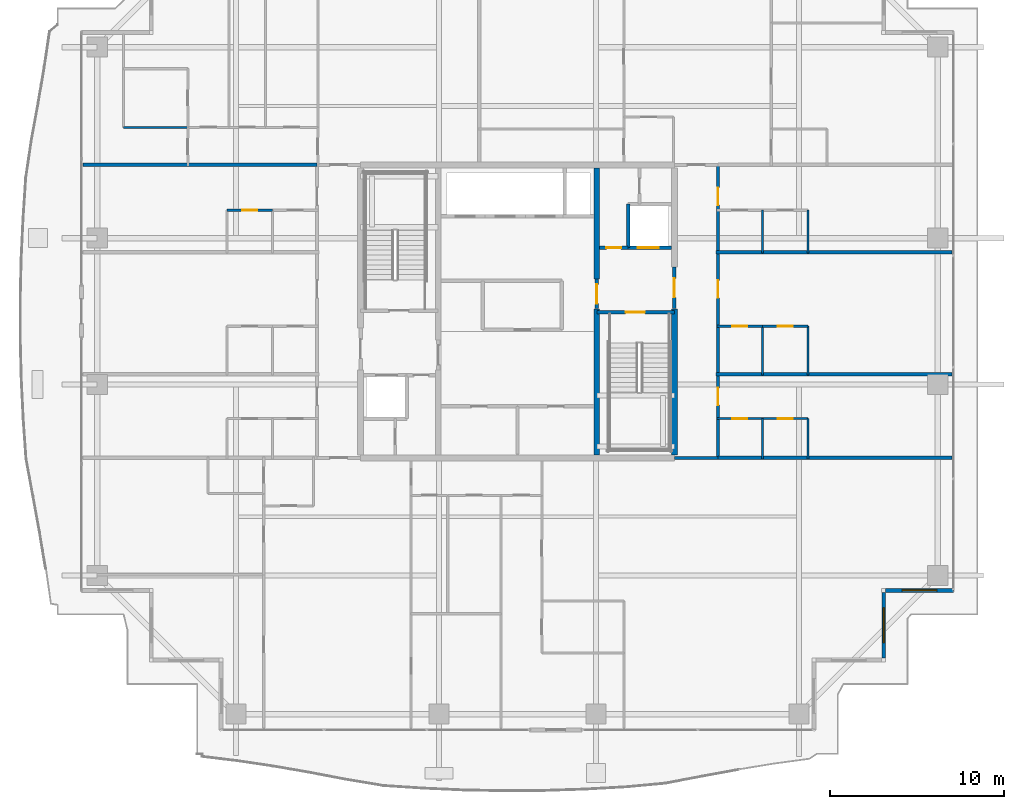
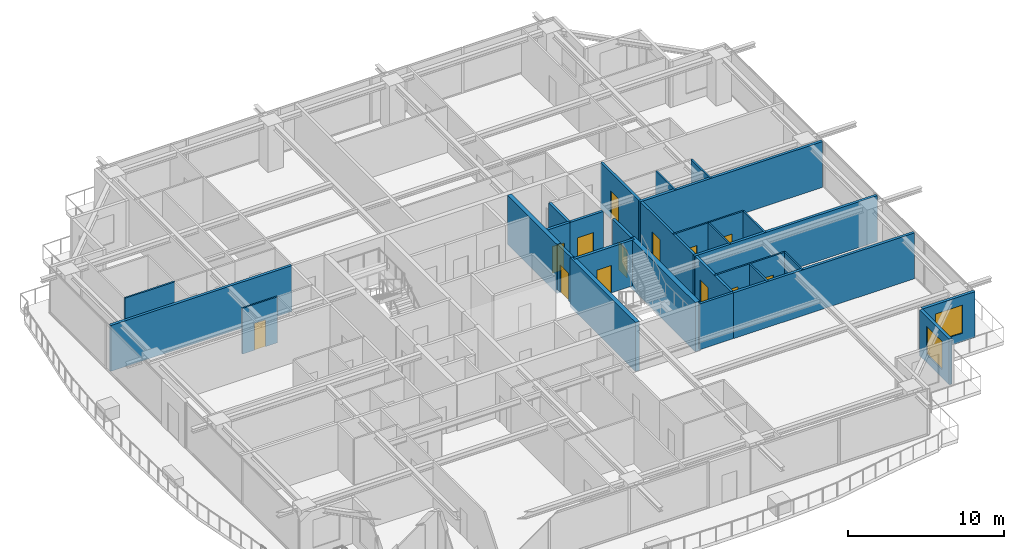
# One storey, part 27 of 36: 29 walls, 13 doors, 2 windows, 15 openings.
"""IFC4 building model written with IfcOpenShell, lengths in metres."""

from ifc_helpers import new_model, si_unit, direction, frame, frame_2d, origin, place, context, subcontext, project, spatial, rectangle, extrude, source, transform, mapped, material, layer, layer_set, type_object, element, fill, save


model = new_model("IFC4")

# Units and contexts
model_context = context("Model", 3, precision=1e-05, world=origin(), true_north=direction((0.0, 1.0)))
body_context = subcontext(model_context, "Body", "Model", "MODEL_VIEW")
ifc_project = project(units=[si_unit("LENGTHUNIT", "METRE"), si_unit("AREAUNIT", "SQUARE_METRE"), si_unit("VOLUMEUNIT", "CUBIC_METRE"), si_unit("PLANEANGLEUNIT", "RADIAN"), si_unit("MASSUNIT", "GRAM", prefix="KILO")], contexts=[model_context])

# Site, building, storey
site_placement = place(None, origin())
site = spatial("IfcSite", under=ifc_project, at=site_placement, CompositionType="ELEMENT")
building_placement = place(site_placement, origin())
building = spatial("IfcBuilding", under=site, at=building_placement, Name="Serunith Strait Residences", CompositionType="ELEMENT")
storey_placement = place(building_placement, frame((0.0, 0.0, 256.64990234375)))
storey = spatial("IfcBuildingStorey", under=building, at=storey_placement, Name="L64", CompositionType="ELEMENT", Elevation=256.64990234375)

# Wall, opening, window
ifc_material_1 = material(Name="Pale-Champagne Aluminium Insulated Panel", Category="aluminium")
ifc_layer_1 = layer(ifc_material_1, 0.219970703125, Name="Pale-Champagne Aluminium Insulated Panel")
ifc_layer_set_1 = layer_set([ifc_layer_1], Name="Pale-Champagne Aluminium Insulated Panel")
wall_type_1 = type_object("IfcWallType", Name="EW-ALUM-220", PredefinedType="ELEMENTEDWALL", material=ifc_layer_set_1)
wall_1_placement = place(storey_placement, frame((53.39990234375, 5.31005859375, 0.0), z_axis=(0.0, 0.0, 1.0), x_axis=(0.0, 1.0, 0.0)))
wall_1 = element("IfcWall", 1, at=wall_1_placement, inside=storey, type_object=wall_type_1, Name="L64 Girih Serrated Corner Wall 04", PredefinedType="ELEMENTEDWALL", context=body_context, shape_type="SweptSolid", body=[
    extrude(rectangle(XDim=3.780029296875, YDim=0.219970703125, at=frame_2d((1.89013671875, 0.0))), origin(), (0.0, 0.0, 1.0), 3.5751953125),
])
opening_1_placement = place(wall_1_placement, frame((0.889892578125, 0.0, 0.64990234375)))
opening_1 = element("IfcOpeningElement", 2, at=opening_1_placement, cuts=wall_1, Name="Opening W-04", PredefinedType="OPENING", context=body_context, shape_type="SweptSolid", body=[
    extrude(rectangle(XDim=2.0, YDim=2.199951171875, at=frame_2d((1.0, 1.10009765625))), frame((0.0, 0.1201171875, 0.0), z_axis=(0.0, -1.0, 0.0), x_axis=(1.0, 0.0, 0.0)), (0.0, 0.0, 1.0), 0.239990234375),
])
ifc_material_2 = material(Name="Ceramic-Fritted Operable Aluminium Window Glass", Category="aluminium")
window_type = type_object("IfcWindowType", Name="WIN-C4", PartitioningType="TRIPLE_PANEL_VERTICAL", PredefinedType="WINDOW", material=ifc_material_2)
shared_shape_1 = source(origin(), body_context, "Body", "SweptSolid", [
    extrude(rectangle(XDim=2.0, YDim=2.199951171875, at=frame_2d((1.0, 1.10009765625))), frame((0.0, 0.030029296875, 0.0), z_axis=(0.0, -1.0, 0.0), x_axis=(1.0, 0.0, 0.0)), (0.0, 0.0, 1.0), 0.06005859375),
])
window_1_placement = place(opening_1_placement, origin())
window_1 = element("IfcWindow", 3, at=window_1_placement, inside=storey, type_object=window_type, Name="L64 Corner Operable Fritted Window 04", OverallHeight=2.199951171875, OverallWidth=2.0, PartitioningType="SINGLE_PANEL", PredefinedType="WINDOW", context=body_context, shape_type="MappedRepresentation", body=[
    mapped(shared_shape_1, transform((0.0, 0.0, 0.0), scale=1.0)),
])
fill(opening_1, window_1)

wall_2_placement = place(storey_placement, frame((53.510009765625, 9.199951171875, 0.0), z_axis=(0.0, 0.0, 1.0), x_axis=(1.0, 0.0, 0.0)))
wall_2 = element("IfcWall", 4, at=wall_2_placement, inside=storey, type_object=wall_type_1, Name="L64 Girih Serrated Corner Wall 05", PredefinedType="ELEMENTEDWALL", context=body_context, shape_type="SweptSolid", body=[
    extrude(rectangle(XDim=3.889892578125, YDim=0.219970703125, at=frame_2d((1.94482421875, 0.0))), origin(), (0.0, 0.0, 1.0), 3.5751953125),
])
opening_2_placement = place(wall_2_placement, frame((0.945068359375, 0.0, 0.64990234375)))
opening_2 = element("IfcOpeningElement", 5, at=opening_2_placement, cuts=wall_2, Name="Opening W-04", PredefinedType="OPENING", context=body_context, shape_type="SweptSolid", body=[
    extrude(rectangle(XDim=2.0, YDim=2.199951171875, at=frame_2d((1.0, 1.10009765625))), frame((0.0, 0.1201171875, 0.0), z_axis=(0.0, -1.0, 0.0), x_axis=(1.0, 0.0, 0.0)), (0.0, 0.0, 1.0), 0.239990234375),
])
window_2_placement = place(opening_2_placement, origin())
window_2 = element("IfcWindow", 6, at=window_2_placement, inside=storey, type_object=window_type, Name="L64 Corner Operable Fritted Window 05", OverallHeight=2.199951171875, OverallWidth=2.0, PartitioningType="SINGLE_PANEL", PredefinedType="WINDOW", context=body_context, shape_type="MappedRepresentation", body=[
    mapped(shared_shape_1, transform((0.0, 0.0, 0.0), scale=1.0)),
])
fill(opening_2, window_2)

# Wall
ifc_material_3 = material(Name="Fire-rated acoustic gypsum partition")
ifc_layer_2 = layer(ifc_material_3, 0.179931640625, Name="Fire-rated acoustic gypsum partition")
ifc_layer_set_2 = layer_set([ifc_layer_2], Name="Fire-rated acoustic gypsum partition")
wall_type_2 = type_object("IfcWallType", Name="IW-CORR-180", PredefinedType="PARTITIONING", material=ifc_layer_set_2)
wall_3_placement = place(storey_placement, frame((41.402099609375, 16.800048828125, 0.0), z_axis=(0.0, 0.0, 1.0), x_axis=(1.0, 0.0, 0.0)))
element("IfcWall", 7, at=wall_3_placement, inside=storey, type_object=wall_type_2, Name="L64 Partition Wall 032", PredefinedType="PARTITIONING", context=body_context, shape_type="SweptSolid", body=[
    extrude(rectangle(XDim=2.495849609375, YDim=0.179931640625, at=frame_2d((1.248046875, 0.0))), origin(), (0.0, 0.0, 1.0), 3.590087890625),
])

# Wall, openings, doors
wall_4_placement = place(storey_placement, frame((43.89990234375, 16.800048828125, 0.0), z_axis=(0.0, 0.0, 1.0), x_axis=(0.0, 1.0, 0.0)))
wall_4 = element("IfcWall", 8, at=wall_4_placement, inside=storey, type_object=wall_type_2, Name="L64 Partition Wall 034", PredefinedType="PARTITIONING", context=body_context, shape_type="SweptSolid", body=[
    extrude(rectangle(XDim=16.800048828125, YDim=0.179931640625, at=frame_2d((8.39990234375, 0.0))), origin(), (0.0, 0.0, 1.0), 3.590087890625),
])
opening_3_placement = place(wall_4_placement, frame((3.01806640625, 0.0, 0.0)))
opening_3 = element("IfcOpeningElement", 9, at=opening_3_placement, cuts=wall_4, Name="Opening D-APT1000", PredefinedType="OPENING", context=body_context, shape_type="SweptSolid", body=[
    extrude(rectangle(XDim=1.0, YDim=2.14990234375, at=frame_2d((0.5, 1.074951171875))), frame((0.0, 0.10009765625, 0.0), z_axis=(0.0, -1.0, 0.0), x_axis=(1.0, 0.0, 0.0)), (0.0, 0.0, 1.0), 0.199951171875),
])
opening_4_placement = place(wall_4_placement, frame((9.179931640625, 0.0, 0.0)))
opening_4 = element("IfcOpeningElement", 10, at=opening_4_placement, cuts=wall_4, Name="Opening D-APT1000", PredefinedType="OPENING", context=body_context, shape_type="SweptSolid", body=[
    extrude(rectangle(XDim=1.0, YDim=2.14990234375, at=frame_2d((0.5, 1.074951171875))), frame((0.0, 0.10009765625, 0.0), z_axis=(0.0, -1.0, 0.0), x_axis=(1.0, 0.0, 0.0)), (0.0, 0.0, 1.0), 0.199951171875),
])
opening_5_placement = place(wall_4_placement, frame((14.5, 0.0, 0.0)))
opening_5 = element("IfcOpeningElement", 11, at=opening_5_placement, cuts=wall_4, Name="Opening D-APT1000", PredefinedType="OPENING", context=body_context, shape_type="SweptSolid", body=[
    extrude(rectangle(XDim=1.0, YDim=2.14990234375, at=frame_2d((0.5, 1.074951171875))), frame((0.0, 0.10009765625, 0.0), z_axis=(0.0, -1.0, 0.0), x_axis=(1.0, 0.0, 0.0)), (0.0, 0.0, 1.0), 0.199951171875),
])
ifc_material_4 = material(Name="Solid timber engineered fire door", Category="wood")
door_type_1 = type_object("IfcDoorType", Name="ID-APT-1000", OperationType="NOTDEFINED", PredefinedType="DOOR", material=ifc_material_4)
shared_shape_2 = source(origin(), body_context, "Body", "SweptSolid", [
    extrude(rectangle(XDim=1.0, YDim=2.14990234375, at=frame_2d((0.5, 1.074951171875))), frame((0.0, 0.02490234375, 0.0), z_axis=(0.0, -1.0, 0.0), x_axis=(1.0, 0.0, 0.0)), (0.0, 0.0, 1.0), 0.050048828125),
])
door_1_placement = place(opening_3_placement, origin())
door_1 = element("IfcDoor", 12, at=door_1_placement, inside=storey, type_object=door_type_1, Name="L64 Unit 07 Entrance Door", OperationType="SINGLE_SWING_RIGHT", OverallHeight=2.14990234375, OverallWidth=1.0, PredefinedType="DOOR", context=body_context, shape_type="MappedRepresentation", body=[
    mapped(shared_shape_2, transform((0.0, 0.0, 0.0), scale=1.0)),
])
fill(opening_3, door_1)
door_2_placement = place(opening_4_placement, origin())
door_2 = element("IfcDoor", 13, at=door_2_placement, inside=storey, type_object=door_type_1, Name="L64 Unit 08 Entrance Door", OperationType="SINGLE_SWING_LEFT", OverallHeight=2.14990234375, OverallWidth=1.0, PredefinedType="DOOR", context=body_context, shape_type="MappedRepresentation", body=[
    mapped(shared_shape_2, transform((0.0, 0.0, 0.0), scale=1.0)),
])
fill(opening_4, door_2)
door_3_placement = place(opening_5_placement, origin())
door_3 = element("IfcDoor", 14, at=door_3_placement, inside=storey, type_object=door_type_1, Name="L64 Unit 09 Entrance Door", OperationType="SINGLE_SWING_RIGHT", OverallHeight=2.14990234375, OverallWidth=1.0, PredefinedType="DOOR", context=body_context, shape_type="MappedRepresentation", body=[
    mapped(shared_shape_2, transform((0.0, 0.0, 0.0), scale=1.0)),
])
fill(opening_5, door_3)

# Wall
ifc_material_5 = material(Name="Lightweight steel-stud gypsum partition", Category="steel")
ifc_layer_3 = layer(ifc_material_5, 0.1201171875, Name="Lightweight steel-stud gypsum partition")
ifc_layer_set_3 = layer_set([ifc_layer_3], Name="Lightweight steel-stud gypsum partition")
wall_type_3 = type_object("IfcWallType", Name="IW-PART-120", PredefinedType="PARTITIONING", material=ifc_layer_set_3)
wall_5_placement = place(storey_placement, frame((9.800048828125, 35.75, 0.0), z_axis=(0.0, 0.0, 1.0), x_axis=(1.0, 0.0, 0.0)))
element("IfcWall", 15, at=wall_5_placement, inside=storey, type_object=wall_type_3, Name="L64 Partition Wall 069", PredefinedType="PARTITIONING", context=body_context, shape_type="SweptSolid", body=[
    extrude(rectangle(XDim=3.697998046875, YDim=0.1201171875, at=frame_2d((1.84912109375, 0.0))), origin(), (0.0, 0.0, 1.0), 3.590087890625),
])

# Wall, opening, door
wall_6_placement = place(storey_placement, frame((15.75, 31.0, 0.0), z_axis=(0.0, 0.0, 1.0), x_axis=(1.0, 0.0, 0.0)))
wall_6 = element("IfcWall", 16, at=wall_6_placement, inside=storey, type_object=wall_type_3, Name="L64 Partition Wall 093", PredefinedType="PARTITIONING", context=body_context, shape_type="SweptSolid", body=[
    extrude(rectangle(XDim=2.60009765625, YDim=0.1201171875, at=frame_2d((1.300048828125, 0.0))), origin(), (0.0, 0.0, 1.0), 3.590087890625),
])
opening_6_placement = place(wall_6_placement, frame((0.875, 0.0, 0.0)))
opening_6 = element("IfcOpeningElement", 17, at=opening_6_placement, cuts=wall_6, Name="Opening D-RM850", PredefinedType="OPENING", context=body_context, shape_type="SweptSolid", body=[
    extrude(rectangle(XDim=0.85009765625, YDim=2.10009765625, at=frame_2d((0.425048828125, 1.050048828125))), frame((0.0, 0.070068359375, 0.0), z_axis=(0.0, -1.0, 0.0), x_axis=(1.0, 0.0, 0.0)), (0.0, 0.0, 1.0), 0.14013671875),
])
ifc_material_6 = material(Name="Engineered timber flush study and kitchen door", Category="wood")
door_type_2 = type_object("IfcDoorType", Name="ID-ROOM-850", OperationType="NOTDEFINED", PredefinedType="DOOR", material=ifc_material_6)
shared_shape_3 = source(origin(), body_context, "Body", "SweptSolid", [
    extrude(rectangle(XDim=0.85009765625, YDim=2.10009765625, at=frame_2d((0.425048828125, 1.050048828125))), frame((0.0, 0.02490234375, 0.0), z_axis=(0.0, -1.0, 0.0), x_axis=(1.0, 0.0, 0.0)), (0.0, 0.0, 1.0), 0.050048828125),
])
door_4_placement = place(opening_6_placement, origin())
door_4 = element("IfcDoor", 18, at=door_4_placement, inside=storey, type_object=door_type_2, Name="L64 Kitchen 6406 Door", OperationType="SINGLE_SWING_RIGHT", OverallHeight=2.10009765625, OverallWidth=0.85009765625, PredefinedType="DOOR", context=body_context, shape_type="MappedRepresentation", body=[
    mapped(shared_shape_3, transform((0.0, 0.0, 0.0), scale=1.0)),
])
fill(opening_6, door_4)

wall_7_placement = place(storey_placement, frame((49.050048828125, 19.050048828125, 0.0), z_axis=(0.0, 0.0, 1.0), x_axis=(-1.0, 0.0, 0.0)))
wall_7 = element("IfcWall", 19, at=wall_7_placement, inside=storey, type_object=wall_type_3, Name="L64 Partition Wall 097", PredefinedType="PARTITIONING", context=body_context, shape_type="SweptSolid", body=[
    extrude(rectangle(XDim=2.60009765625, YDim=0.1201171875, at=frame_2d((1.300048828125, 0.0))), origin(), (0.0, 0.0, 1.0), 3.590087890625),
])
opening_7_placement = place(wall_7_placement, frame((0.875, 0.0, 0.0)))
opening_7 = element("IfcOpeningElement", 20, at=opening_7_placement, cuts=wall_7, Name="Opening D-RM850", PredefinedType="OPENING", context=body_context, shape_type="SweptSolid", body=[
    extrude(rectangle(XDim=0.85009765625, YDim=2.10009765625, at=frame_2d((0.425048828125, 1.050048828125))), frame((0.0, 0.070068359375, 0.0), z_axis=(0.0, -1.0, 0.0), x_axis=(1.0, 0.0, 0.0)), (0.0, 0.0, 1.0), 0.14013671875),
])
door_5_placement = place(opening_7_placement, origin())
door_5 = element("IfcDoor", 21, at=door_5_placement, inside=storey, type_object=door_type_2, Name="L64 Kitchen 6407 Door", OperationType="SINGLE_SWING_RIGHT", OverallHeight=2.10009765625, OverallWidth=0.85009765625, PredefinedType="DOOR", context=body_context, shape_type="MappedRepresentation", body=[
    mapped(shared_shape_3, transform((0.0, 0.0, 0.0), scale=1.0)),
])
fill(opening_7, door_5)

wall_8_placement = place(storey_placement, frame((46.447998046875, 19.050048828125, 0.0), z_axis=(0.0, 0.0, 1.0), x_axis=(-1.0, 0.0, 0.0)))
wall_8 = element("IfcWall", 22, at=wall_8_placement, inside=storey, type_object=wall_type_3, Name="L64 Partition Wall 098", PredefinedType="PARTITIONING", context=body_context, shape_type="SweptSolid", body=[
    extrude(rectangle(XDim=2.60791015625, YDim=0.1201171875, at=frame_2d((1.303955078125, 0.0))), origin(), (0.0, 0.0, 1.0), 3.590087890625),
])
opening_8_placement = place(wall_8_placement, frame((0.87890625, 0.0, 0.0)))
opening_8 = element("IfcOpeningElement", 23, at=opening_8_placement, cuts=wall_8, Name="Opening D-BTH850", PredefinedType="OPENING", context=body_context, shape_type="SweptSolid", body=[
    extrude(rectangle(XDim=0.85009765625, YDim=2.10009765625, at=frame_2d((0.425048828125, 1.050048828125))), frame((0.0, 0.070068359375, 0.0), z_axis=(0.0, -1.0, 0.0), x_axis=(1.0, 0.0, 0.0)), (0.0, 0.0, 1.0), 0.14013671875),
])
ifc_material_7 = material(Name="Moisture-resistant timber bathroom door", Category="wood")
door_type_3 = type_object("IfcDoorType", Name="ID-BATH-850", OperationType="NOTDEFINED", PredefinedType="DOOR", material=ifc_material_7)
door_6_placement = place(opening_8_placement, origin())
door_6 = element("IfcDoor", 24, at=door_6_placement, inside=storey, type_object=door_type_3, Name="L64 Bathroom 6407 Door", OperationType="SINGLE_SWING_LEFT", OverallHeight=2.10009765625, OverallWidth=0.85009765625, PredefinedType="DOOR", context=body_context, shape_type="MappedRepresentation", body=[
    mapped(shared_shape_3, transform((0.0, 0.0, 0.0), scale=1.0)),
])
fill(opening_8, door_6)

# Walls
for number, where, z_axis, x_axis, name in (
    (25, (46.449951171875, 16.739990234375, 0.0), (0.0, 0.0, 1.0), (0.0, 1.0, 0.0), "L64 Partition Wall 099"),
    (26, (49.050048828125, 16.739990234375, 0.0), (0.0, 0.0, 1.0), (0.0, 1.0, 0.0), "L64 Partition Wall 100"),
):
    element("IfcWall", number, at=place(storey_placement, frame(where, z_axis=z_axis, x_axis=x_axis)), inside=storey, type_object=wall_type_3, Name=name, PredefinedType="PARTITIONING", context=body_context, shape_type="SweptSolid", body=[
        extrude(rectangle(XDim=2.31005859375, YDim=0.1201171875, at=frame_2d((1.155029296875, 0.0))), origin(), (0.0, 0.0, 1.0), 3.590087890625),
    ])

# Wall, opening, door
wall_9_placement = place(storey_placement, frame((49.050048828125, 24.35009765625, 0.0), z_axis=(0.0, 0.0, 1.0), x_axis=(-1.0, 0.0, 0.0)))
wall_9 = element("IfcWall", 27, at=wall_9_placement, inside=storey, type_object=wall_type_3, Name="L64 Partition Wall 101", PredefinedType="PARTITIONING", context=body_context, shape_type="SweptSolid", body=[
    extrude(rectangle(XDim=2.60009765625, YDim=0.1201171875, at=frame_2d((1.300048828125, 0.0))), origin(), (0.0, 0.0, 1.0), 3.590087890625),
])
opening_9_placement = place(wall_9_placement, frame((0.875, 0.0, 0.0)))
opening_9 = element("IfcOpeningElement", 28, at=opening_9_placement, cuts=wall_9, Name="Opening D-RM850", PredefinedType="OPENING", context=body_context, shape_type="SweptSolid", body=[
    extrude(rectangle(XDim=0.85009765625, YDim=2.10009765625, at=frame_2d((0.425048828125, 1.050048828125))), frame((0.0, 0.070068359375, 0.0), z_axis=(0.0, -1.0, 0.0), x_axis=(1.0, 0.0, 0.0)), (0.0, 0.0, 1.0), 0.14013671875),
])
door_7_placement = place(opening_9_placement, origin())
door_7 = element("IfcDoor", 29, at=door_7_placement, inside=storey, type_object=door_type_2, Name="L64 Kitchen 6408 Door", OperationType="SINGLE_SWING_RIGHT", OverallHeight=2.10009765625, OverallWidth=0.85009765625, PredefinedType="DOOR", context=body_context, shape_type="MappedRepresentation", body=[
    mapped(shared_shape_3, transform((0.0, 0.0, 0.0), scale=1.0)),
])
fill(opening_9, door_7)

wall_10_placement = place(storey_placement, frame((46.447998046875, 24.35009765625, 0.0), z_axis=(0.0, 0.0, 1.0), x_axis=(-1.0, 0.0, 0.0)))
wall_10 = element("IfcWall", 30, at=wall_10_placement, inside=storey, type_object=wall_type_3, Name="L64 Partition Wall 102", PredefinedType="PARTITIONING", context=body_context, shape_type="SweptSolid", body=[
    extrude(rectangle(XDim=2.60791015625, YDim=0.1201171875, at=frame_2d((1.303955078125, 0.0))), origin(), (0.0, 0.0, 1.0), 3.590087890625),
])
opening_10_placement = place(wall_10_placement, frame((0.87890625, 0.0, 0.0)))
opening_10 = element("IfcOpeningElement", 31, at=opening_10_placement, cuts=wall_10, Name="Opening D-BTH850", PredefinedType="OPENING", context=body_context, shape_type="SweptSolid", body=[
    extrude(rectangle(XDim=0.85009765625, YDim=2.10009765625, at=frame_2d((0.425048828125, 1.050048828125))), frame((0.0, 0.070068359375, 0.0), z_axis=(0.0, -1.0, 0.0), x_axis=(1.0, 0.0, 0.0)), (0.0, 0.0, 1.0), 0.14013671875),
])
door_8_placement = place(opening_10_placement, origin())
door_8 = element("IfcDoor", 32, at=door_8_placement, inside=storey, type_object=door_type_3, Name="L64 Bathroom 6408 Door", OperationType="SINGLE_SWING_LEFT", OverallHeight=2.10009765625, OverallWidth=0.85009765625, PredefinedType="DOOR", context=body_context, shape_type="MappedRepresentation", body=[
    mapped(shared_shape_3, transform((0.0, 0.0, 0.0), scale=1.0)),
])
fill(opening_10, door_8)

# Walls
for number, where, z_axis, x_axis, name in (
    (33, (46.449951171875, 21.5400390625, 0.0), (0.0, 0.0, 1.0), (0.0, 1.0, 0.0), "L64 Partition Wall 103"),
    (34, (49.050048828125, 21.5400390625, 0.0), (0.0, 0.0, 1.0), (0.0, 1.0, 0.0), "L64 Partition Wall 104"),
):
    element("IfcWall", number, at=place(storey_placement, frame(where, z_axis=z_axis, x_axis=x_axis)), inside=storey, type_object=wall_type_3, Name=name, PredefinedType="PARTITIONING", context=body_context, shape_type="SweptSolid", body=[
        extrude(rectangle(XDim=2.81005859375, YDim=0.1201171875, at=frame_2d((1.405029296875, 0.0))), origin(), (0.0, 0.0, 1.0), 3.590087890625),
    ])
for number, where, z_axis, x_axis, name in (
    (35, (46.449951171875, 28.5400390625, 0.0), (0.0, 0.0, 1.0), (0.0, 1.0, 0.0), "L64 Partition Wall 107"),
    (36, (49.050048828125, 28.5400390625, 0.0), (0.0, 0.0, 1.0), (0.0, 1.0, 0.0), "L64 Partition Wall 108"),
):
    element("IfcWall", number, at=place(storey_placement, frame(where, z_axis=z_axis, x_axis=x_axis)), inside=storey, type_object=wall_type_3, Name=name, PredefinedType="PARTITIONING", context=body_context, shape_type="SweptSolid", body=[
        extrude(rectangle(XDim=2.4599609375, YDim=0.1201171875, at=frame_2d((1.22998046875, 0.0))), origin(), (0.0, 0.0, 1.0), 3.590087890625),
    ])
ifc_material_8 = material(Name="Twin-stud acoustic gypsum board partition")
ifc_layer_4 = layer(ifc_material_8, 0.199951171875, Name="Twin-stud acoustic gypsum board partition")
ifc_layer_set_4 = layer_set([ifc_layer_4], Name="Twin-stud acoustic gypsum board partition")
wall_type_4 = type_object("IfcWallType", Name="IW-PARTY-200", PredefinedType="PARTITIONING", material=ifc_layer_set_4)
for number, where, z_axis, x_axis, name in (
    (37, (43.780029296875, 21.60009765625, 0.0), (0.0, 0.0, 1.0), (1.0, 0.0, 0.0), "L64 Partition Wall 023"),
    (38, (43.780029296875, 28.60009765625, 0.0), (0.0, 0.0, 1.0), (1.0, 0.0, 0.0), "L64 Partition Wall 024"),
):
    element("IfcWall", number, at=place(storey_placement, frame(where, z_axis=z_axis, x_axis=x_axis)), inside=storey, type_object=wall_type_4, Name=name, PredefinedType="PARTITIONING", context=body_context, shape_type="SweptSolid", body=[
        extrude(rectangle(XDim=13.5380859375, YDim=0.199951171875, at=frame_2d((6.76904296875, 0.0))), origin(), (0.0, 0.0, 1.0), 3.590087890625),
    ])
wall_11_placement = place(storey_placement, frame((43.89990234375, 16.800048828125, 0.0), z_axis=(0.0, 0.0, 1.0), x_axis=(1.0, 0.0, 0.0)))
element("IfcWall", 39, at=wall_11_placement, inside=storey, type_object=wall_type_4, Name="L64 Partition Wall 026", PredefinedType="PARTITIONING", context=body_context, shape_type="SweptSolid", body=[
    extrude(rectangle(XDim=13.418212890625, YDim=0.199951171875, at=frame_2d((6.708984375, 0.0))), origin(), (0.0, 0.0, 1.0), 3.590087890625),
])
wall_12_placement = place(storey_placement, frame((7.48193359375, 33.60009765625, 0.0), z_axis=(0.0, 0.0, 1.0), x_axis=(1.0, 0.0, 0.0)))
element("IfcWall", 40, at=wall_12_placement, inside=storey, type_object=wall_type_4, Name="L64 Partition Wall 027", PredefinedType="PARTITIONING", context=body_context, shape_type="SweptSolid", body=[
    extrude(rectangle(XDim=13.41796875, YDim=0.199951171875, at=frame_2d((6.708984375, 0.0))), origin(), (0.0, 0.0, 1.0), 3.590087890625),
])

# Wall, opening, door
ifc_material_9 = material(Name="Autoclaved aerated concrete blockwork", Category="masonry")
ifc_layer_5 = layer(ifc_material_9, 0.199951171875, Name="Autoclaved aerated concrete blockwork")
ifc_layer_set_5 = layer_set([ifc_layer_5], Name="Autoclaved aerated concrete blockwork")
wall_type_5 = type_object("IfcWallType", Name="IW-SHAFT-200", PredefinedType="STANDARD", material=ifc_layer_set_5)
wall_13_placement = place(storey_placement, frame((36.949951171875, 25.14990234375, 0.0), z_axis=(0.0, 0.0, 1.0), x_axis=(1.0, 0.0, 0.0)))
wall_13 = element("IfcWall", 41, at=wall_13_placement, inside=storey, type_object=wall_type_5, Name="L64 ST-2 North Shaft Wall", PredefinedType="STANDARD", context=body_context, shape_type="SweptSolid", body=[
    extrude(rectangle(XDim=4.449951171875, YDim=0.199951171875, at=frame_2d((2.22509765625, 0.0))), origin(), (0.0, 0.0, 1.0), 3.590087890625),
])
opening_11_placement = place(wall_13_placement, frame((1.64990234375, 0.0, 0.0)))
opening_11 = element("IfcOpeningElement", 42, at=opening_11_placement, cuts=wall_13, Name="Opening FD-1100", PredefinedType="OPENING", context=body_context, shape_type="SweptSolid", body=[
    extrude(rectangle(XDim=1.10009765625, YDim=2.14990234375, at=frame_2d((0.550048828125, 1.074951171875))), frame((0.0, 0.10986328125, 0.0), z_axis=(0.0, -1.0, 0.0), x_axis=(1.0, 0.0, 0.0)), (0.0, 0.0, 1.0), 0.219970703125),
])
ifc_material_10 = material(Name="Galvanised steel fire door leaf", Category="steel")
door_type_4 = type_object("IfcDoorType", Name="FD-STAIR-1100", OperationType="NOTDEFINED", PredefinedType="DOOR", material=ifc_material_10)
shared_shape_4 = source(origin(), body_context, "Body", "SweptSolid", [
    extrude(rectangle(XDim=1.10009765625, YDim=2.14990234375, at=frame_2d((0.550048828125, 1.074951171875))), frame((0.0, 0.02490234375, 0.0), z_axis=(0.0, -1.0, 0.0), x_axis=(1.0, 0.0, 0.0)), (0.0, 0.0, 1.0), 0.050048828125),
])
door_9_placement = place(opening_11_placement, origin())
door_9 = element("IfcDoor", 43, at=door_9_placement, inside=storey, type_object=door_type_4, Name="L64 ST-2 Escape Stair Door", OperationType="SINGLE_SWING_LEFT", OverallHeight=2.14990234375, OverallWidth=1.10009765625, PredefinedType="DOOR", context=body_context, shape_type="MappedRepresentation", body=[
    mapped(shared_shape_4, transform((0.0, 0.0, 0.0), scale=1.0)),
])
fill(opening_11, door_9)

wall_14_placement = place(storey_placement, frame((38.75, 28.85009765625, 0.0), z_axis=(0.0, 0.0, 1.0), x_axis=(1.0, 0.0, 0.0)))
wall_14 = element("IfcWall", 44, at=wall_14_placement, inside=storey, type_object=wall_type_5, Name="L64 FL-2 South Shaft Wall", PredefinedType="STANDARD", context=body_context, shape_type="SweptSolid", body=[
    extrude(rectangle(XDim=2.47509765625, YDim=0.199951171875, at=frame_2d((1.237548828125, 0.0))), origin(), (0.0, 0.0, 1.0), 3.590087890625),
])
opening_12_placement = place(wall_14_placement, frame((0.550048828125, 0.0, 0.0)))
opening_12 = element("IfcOpeningElement", 45, at=opening_12_placement, cuts=wall_14, Name="Opening LD-FF1200", PredefinedType="OPENING", context=body_context, shape_type="SweptSolid", body=[
    extrude(rectangle(XDim=1.199951171875, YDim=2.199951171875, at=frame_2d((0.60009765625, 1.10009765625))), frame((0.0, 0.10986328125, 0.0), z_axis=(0.0, -1.0, 0.0), x_axis=(1.0, 0.0, 0.0)), (0.0, 0.0, 1.0), 0.219970703125),
])
ifc_material_11 = material(Name="Brushed stainless steel landing door", Category="steel")
door_type_5 = type_object("IfcDoorType", Name="LD-FF-1200", OperationType="DOUBLE_DOOR_SLIDING", PredefinedType="DOOR", material=ifc_material_11)
shared_shape_5 = source(origin(), body_context, "Body", "SweptSolid", [
    extrude(rectangle(XDim=1.199951171875, YDim=2.199951171875, at=frame_2d((0.60009765625, 1.10009765625))), frame((0.0, 0.02490234375, 0.0), z_axis=(0.0, -1.0, 0.0), x_axis=(1.0, 0.0, 0.0)), (0.0, 0.0, 1.0), 0.050048828125),
])
door_10_placement = place(opening_12_placement, origin())
door_10 = element("IfcDoor", 46, at=door_10_placement, inside=storey, type_object=door_type_5, Name="L64 FL-2 Landing Door", OperationType="DOUBLE_DOOR_SLIDING", OverallHeight=2.199951171875, OverallWidth=1.199951171875, PredefinedType="DOOR", context=body_context, shape_type="MappedRepresentation", body=[
    mapped(shared_shape_5, transform((0.0, 0.0, 0.0), scale=1.0)),
])
fill(opening_12, door_10)

# Wall
wall_15_placement = place(storey_placement, frame((38.75, 28.85009765625, 0.0), z_axis=(0.0, 0.0, 1.0), x_axis=(0.0, 1.0, 0.0)))
element("IfcWall", 47, at=wall_15_placement, inside=storey, type_object=wall_type_5, Name="L64 Partition Wall 004", PredefinedType="STANDARD", context=body_context, shape_type="SweptSolid", body=[
    extrude(rectangle(XDim=2.5, YDim=0.199951171875, at=frame_2d((1.25, 0.0))), origin(), (0.0, 0.0, 1.0), 3.590087890625),
])

# Wall, opening, door
wall_16_placement = place(storey_placement, frame((37.10009765625, 28.85009765625, 0.0), z_axis=(0.0, 0.0, 1.0), x_axis=(1.0, 0.0, 0.0)))
wall_16 = element("IfcWall", 48, at=wall_16_placement, inside=storey, type_object=wall_type_5, Name="L64 Partition Wall 006", PredefinedType="STANDARD", context=body_context, shape_type="SweptSolid", body=[
    extrude(rectangle(XDim=1.64794921875, YDim=0.199951171875, at=frame_2d((0.823974609375, 0.0))), origin(), (0.0, 0.0, 1.0), 3.590087890625),
])
opening_13_placement = place(wall_16_placement, frame((0.39892578125, 0.0, 0.0)))
opening_13 = element("IfcOpeningElement", 49, at=opening_13_placement, cuts=wall_16, Name="Opening FD-850", PredefinedType="OPENING", context=body_context, shape_type="SweptSolid", body=[
    extrude(rectangle(XDim=0.85009765625, YDim=2.10009765625, at=frame_2d((0.425048828125, 1.050048828125))), frame((0.0, 0.10986328125, 0.0), z_axis=(0.0, -1.0, 0.0), x_axis=(1.0, 0.0, 0.0)), (0.0, 0.0, 1.0), 0.219970703125),
])
ifc_material_12 = material(Name="Powder-coated steel service closet door", Category="steel")
door_type_6 = type_object("IfcDoorType", Name="FD-BOH-850", OperationType="NOTDEFINED", PredefinedType="DOOR", material=ifc_material_12)
door_11_placement = place(opening_13_placement, origin())
door_11 = element("IfcDoor", 50, at=door_11_placement, inside=storey, type_object=door_type_6, Name="L64 North-East Core Service Door", OperationType="SINGLE_SWING_RIGHT", OverallHeight=2.10009765625, OverallWidth=0.85009765625, PredefinedType="DOOR", context=body_context, shape_type="MappedRepresentation", body=[
    mapped(shared_shape_3, transform((0.0, 0.0, 0.0), scale=1.0)),
])
fill(opening_13, door_11)

wall_17_placement = place(storey_placement, frame((41.39990234375, 25.35205078125, 0.0), z_axis=(0.0, 0.0, 1.0), x_axis=(0.0, 1.0, 0.0)))
wall_17 = element("IfcWall", 51, at=wall_17_placement, inside=storey, type_object=wall_type_5, Name="L64 Partition Wall 008", PredefinedType="STANDARD", context=body_context, shape_type="SweptSolid", body=[
    extrude(rectangle(XDim=2.39599609375, YDim=0.199951171875, at=frame_2d((1.197998046875, 0.0))), origin(), (0.0, 0.0, 1.0), 3.590087890625),
])
opening_14_placement = place(wall_17_placement, frame((0.64794921875, 0.0, 0.0)))
opening_14 = element("IfcOpeningElement", 52, at=opening_14_placement, cuts=wall_17, Name="Opening FD-FFL", PredefinedType="OPENING", context=body_context, shape_type="SweptSolid", body=[
    extrude(rectangle(XDim=1.10009765625, YDim=2.14990234375, at=frame_2d((0.550048828125, 1.074951171875))), frame((0.0, 0.10986328125, 0.0), z_axis=(0.0, -1.0, 0.0), x_axis=(1.0, 0.0, 0.0)), (0.0, 0.0, 1.0), 0.219970703125),
])
ifc_material_13 = material(Name="Glazed steel smoke-lobby fire door", Category="steel")
door_type_7 = type_object("IfcDoorType", Name="FD-FFL-1100", OperationType="NOTDEFINED", PredefinedType="DOOR", material=ifc_material_13)
door_12_placement = place(opening_14_placement, origin())
door_12 = element("IfcDoor", 53, at=door_12_placement, inside=storey, type_object=door_type_7, Name="L64 FFL-2 Corridor Fire Door", OperationType="SINGLE_SWING_RIGHT", OverallHeight=2.14990234375, OverallWidth=1.10009765625, PredefinedType="DOOR", context=body_context, shape_type="MappedRepresentation", body=[
    mapped(shared_shape_4, transform((0.0, 0.0, 0.0), scale=1.0)),
])
fill(opening_14, door_12)

wall_18_placement = place(storey_placement, frame((36.949951171875, 25.35205078125, 0.0), z_axis=(0.0, 0.0, 1.0), x_axis=(0.0, 1.0, 0.0)))
wall_18 = element("IfcWall", 54, at=wall_18_placement, inside=storey, type_object=wall_type_5, Name="L64 Partition Wall 010", PredefinedType="STANDARD", context=body_context, shape_type="SweptSolid", body=[
    extrude(rectangle(XDim=1.696044921875, YDim=0.199951171875, at=frame_2d((0.84814453125, 0.0))), origin(), (0.0, 0.0, 1.0), 3.590087890625),
])
opening_15_placement = place(wall_18_placement, frame((0.298095703125, 0.0, 0.0)))
opening_15 = element("IfcOpeningElement", 55, at=opening_15_placement, cuts=wall_18, Name="Opening FD-FFL", PredefinedType="OPENING", context=body_context, shape_type="SweptSolid", body=[
    extrude(rectangle(XDim=1.10009765625, YDim=2.14990234375, at=frame_2d((0.550048828125, 1.074951171875))), frame((0.0, 0.10986328125, 0.0), z_axis=(0.0, -1.0, 0.0), x_axis=(1.0, 0.0, 0.0)), (0.0, 0.0, 1.0), 0.219970703125),
])
door_13_placement = place(opening_15_placement, origin())
door_13 = element("IfcDoor", 56, at=door_13_placement, inside=storey, type_object=door_type_7, Name="L64 FFL-2 Lift Lobby Door", OperationType="SINGLE_SWING_RIGHT", OverallHeight=2.14990234375, OverallWidth=1.10009765625, PredefinedType="DOOR", context=body_context, shape_type="MappedRepresentation", body=[
    mapped(shared_shape_4, transform((0.0, 0.0, 0.0), scale=1.0)),
])
fill(opening_15, door_13)

# Walls
ifc_material_14 = material(Name="Concrete C60/75", Category="concrete")
ifc_layer_6 = layer(ifc_material_14, 0.300048828125, Name="Concrete C60/75")
ifc_layer_set_6 = layer_set([ifc_layer_6], Name="Concrete C60/75")
wall_type_6 = type_object("IfcWallType", Name="SW-300-C60", PredefinedType="SHEAR", material=ifc_layer_set_6)
wall_19_placement = place(storey_placement, frame((36.949951171875, 16.97509765625, -0.260009765625), z_axis=(0.0, 0.0, 1.0), x_axis=(0.0, 1.0, 0.0)))
element("IfcWall", 57, at=wall_19_placement, inside=storey, type_object=wall_type_6, Name="L64 Core Internal East Web South Pier", PredefinedType="SHEAR", context=body_context, shape_type="SweptSolid", body=[
    extrude(rectangle(XDim=8.375, YDim=0.300048828125, at=frame_2d((4.1875, 0.0))), origin(), (0.0, 0.0, 1.0), 3.84814453125),
])
wall_20_placement = place(storey_placement, frame((36.949951171875, 27.050048828125, -0.260009765625), z_axis=(0.0, 0.0, 1.0), x_axis=(0.0, 1.0, 0.0)))
element("IfcWall", 58, at=wall_20_placement, inside=storey, type_object=wall_type_6, Name="L64 Core Internal East Web North Pier", PredefinedType="SHEAR", context=body_context, shape_type="SweptSolid", body=[
    extrude(rectangle(XDim=6.375, YDim=0.300048828125, at=frame_2d((3.1875, 0.0))), origin(), (0.0, 0.0, 1.0), 3.84814453125),
])
ifc_layer_7 = layer(ifc_material_14, 0.35009765625, Name="Concrete C60/75")
ifc_layer_set_7 = layer_set([ifc_layer_7], Name="Concrete C60/75")
wall_type_7 = type_object("IfcWallType", Name="SW-350-C60", PredefinedType="SHEAR", material=ifc_layer_set_7)
wall_21_placement = place(storey_placement, frame((41.39990234375, 16.97509765625, -0.260009765625), z_axis=(0.0, 0.0, 1.0), x_axis=(0.0, 1.0, 0.0)))
element("IfcWall", 59, at=wall_21_placement, inside=storey, type_object=wall_type_7, Name="L64 Core East Shear Wall South Pier", PredefinedType="SHEAR", context=body_context, shape_type="SweptSolid", body=[
    extrude(rectangle(XDim=8.375, YDim=0.35009765625, at=frame_2d((4.1875, 0.0))), origin(), (0.0, 0.0, 1.0), 3.84814453125),
])

save(model, "model.ifc")
